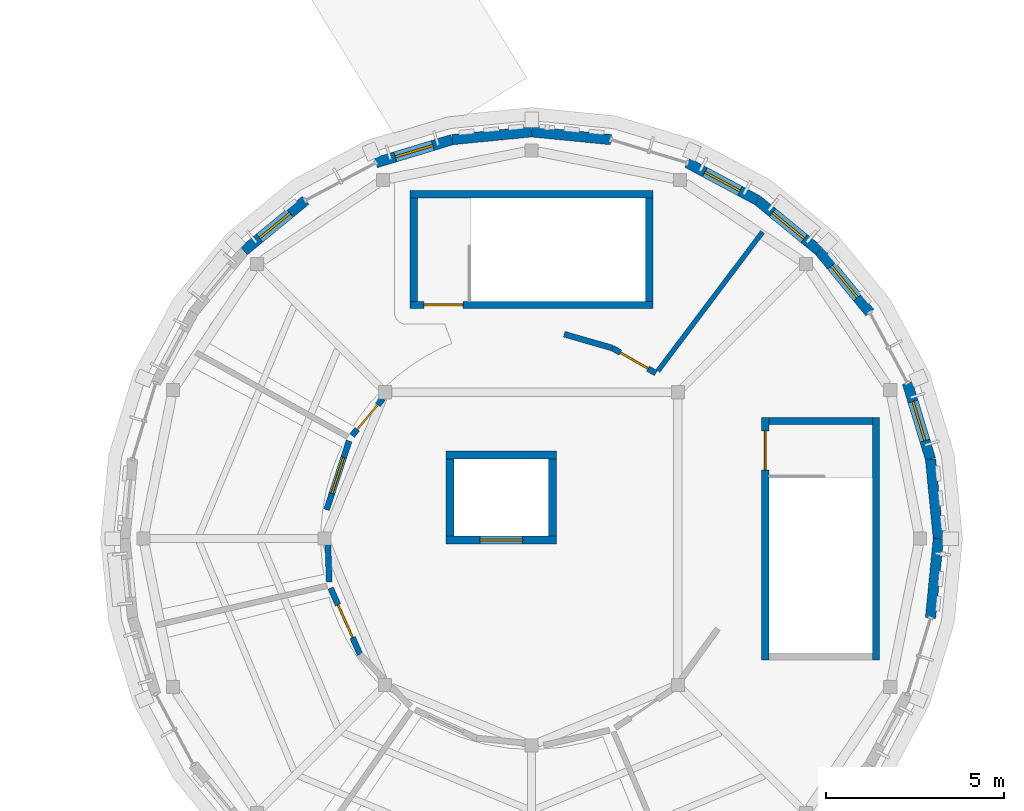
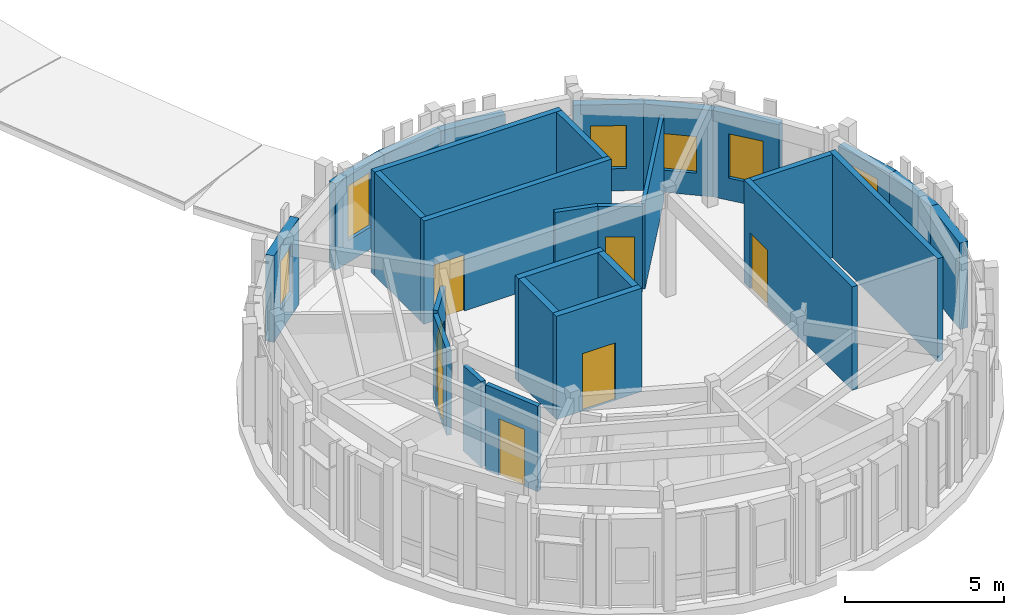
# One storey, part 40 of 58: 28 walls, 7 doors, 6 windows, 13 openings.
"""IFC4 building model written with IfcOpenShell, lengths in metres."""

from ifc_helpers import new_model, si_unit, direction, frame, frame_2d, origin, place, context, subcontext, project, spatial, rectangle, extrude, material, layer, layer_set, type_object, element, fill, save


model = new_model("IFC4")

# Units and contexts
model_context = context("Model", 3, precision=1e-05, world=origin(), true_north=direction((0.0, 1.0)))
body_context = subcontext(model_context, "Body", "Model", "MODEL_VIEW")
ifc_project = project(units=[si_unit("LENGTHUNIT", "METRE"), si_unit("AREAUNIT", "SQUARE_METRE"), si_unit("VOLUMEUNIT", "CUBIC_METRE"), si_unit("PLANEANGLEUNIT", "RADIAN"), si_unit("MASSUNIT", "GRAM", prefix="KILO")], contexts=[model_context])

# Site, building, storey
site_placement = place(None, origin())
site = spatial("IfcSite", under=ifc_project, at=site_placement, CompositionType="ELEMENT")
building_placement = place(site_placement, origin())
building = spatial("IfcBuilding", under=site, at=building_placement, Name="Aldenvaro Health Centre", CompositionType="ELEMENT")
storey_placement = place(building_placement, frame((0.0, 0.0, 8.75)))
storey = spatial("IfcBuildingStorey", under=building, at=storey_placement, Name="L02", CompositionType="ELEMENT", Elevation=8.75)

# Wall, opening, door
ifc_material_1 = material(Name="Gypsum Stud Acoustic Assembly")
ifc_layer_1 = layer(ifc_material_1, 0.1650390625, Name="Gypsum Stud Acoustic Assembly")
ifc_layer_set_1 = layer_set([ifc_layer_1], Name="Gypsum Stud Acoustic Assembly")
wall_type_1 = type_object("IfcWallType", Name="WL-COR-165", PredefinedType="PARTITIONING", material=ifc_layer_set_1)
wall_1_placement = place(storey_placement, frame((150.337890625, 22.424072265625, 0.0), z_axis=(0.0, 0.0, 1.0), x_axis=(-0.64220553528, -0.766532484931, 0.0)))
wall_1 = element("IfcWall", 1, at=wall_1_placement, inside=storey, type_object=wall_type_1, Name="D6 L02 corridor wall 01.1", PredefinedType="PARTITIONING", context=body_context, shape_type="SweptSolid", body=[
    extrude(rectangle(XDim=1.35302734375, YDim=0.1650390625, at=frame_2d((0.676513671875, 0.0))), origin(), (0.0, 0.0, 1.0), 3.279052734375),
])
opening_1_placement = place(wall_1_placement, frame((0.22607421875, 0.0, 0.0)))
opening_1 = element("IfcOpeningElement", 2, at=opening_1_placement, cuts=wall_1, Name="Opening WD-01", PredefinedType="OPENING", context=body_context, shape_type="SweptSolid", body=[
    extrude(rectangle(XDim=0.89990234375, YDim=2.10009765625, at=frame_2d((0.449951171875, 1.050048828125))), frame((0.0, 0.092529296875, 0.0), z_axis=(0.0, -1.0, 0.0), x_axis=(1.0, 0.0, 0.0)), (0.0, 0.0, 1.0), 0.18505859375),
])
ifc_material_2 = material(Name="Moisture-Resistant Laminate Door")
door_type_1 = type_object("IfcDoorType", Name="DR-WC-01", OperationType="NOTDEFINED", PredefinedType="DOOR", material=ifc_material_2)
door_1_placement = place(opening_1_placement, origin())
door_1 = element("IfcDoor", 3, at=door_1_placement, inside=storey, type_object=door_type_1, Name="Mental Health Counseling Room 01 Door", OperationType="SINGLE_SWING_RIGHT", OverallHeight=2.10009765625, OverallWidth=0.89990234375, PredefinedType="DOOR", context=body_context, shape_type="SweptSolid", body=[
    extrude(rectangle(XDim=0.89990234375, YDim=2.10009765625, at=frame_2d((0.449951171875, 1.050048828125))), frame((0.0, 0.02490234375, 0.0), z_axis=(0.0, -1.0, 0.0), x_axis=(1.0, 0.0, 0.0)), (0.0, 0.0, 1.0), 0.050048828125),
])
fill(opening_1, door_1)

wall_2_placement = place(storey_placement, frame((149.385986328125, 21.236083984375, 0.0), z_axis=(0.0, 0.0, 1.0), x_axis=(-0.310375158833, -0.950614149263, 0.0)))
wall_2 = element("IfcWall", 4, at=wall_2_placement, inside=storey, type_object=wall_type_1, Name="D6 L02 corridor wall 02.1", PredefinedType="PARTITIONING", context=body_context, shape_type="SweptSolid", body=[
    extrude(rectangle(XDim=2.029541015625, YDim=0.1650390625, at=frame_2d((1.0146484375, 0.0))), origin(), (0.0, 0.0, 1.0), 3.279052734375),
])
opening_2_placement = place(wall_2_placement, frame((0.485107421875, 0.0, 0.0)))
opening_2 = element("IfcOpeningElement", 5, at=opening_2_placement, cuts=wall_2, Name="Opening MD-02", PredefinedType="OPENING", context=body_context, shape_type="SweptSolid", body=[
    extrude(rectangle(XDim=1.06005859375, YDim=2.199951171875, at=frame_2d((0.530029296875, 1.10009765625))), frame((0.0, 0.092529296875, 0.0), z_axis=(0.0, -1.0, 0.0), x_axis=(1.0, 0.0, 0.0)), (0.0, 0.0, 1.0), 0.18505859375),
])
ifc_material_3 = material(Name="Anti-Ligature Counseling Door")
door_type_2 = type_object("IfcDoorType", Name="DR-MHL-02", OperationType="NOTDEFINED", PredefinedType="DOOR", material=ifc_material_3)
door_2_placement = place(opening_2_placement, origin())
door_2 = element("IfcDoor", 6, at=door_2_placement, inside=storey, type_object=door_type_2, Name="Mental Health Counseling Room 02 Door", OperationType="SINGLE_SWING_LEFT", OverallHeight=2.199951171875, OverallWidth=1.06005859375, PredefinedType="DOOR", context=body_context, shape_type="SweptSolid", body=[
    extrude(rectangle(XDim=1.06005859375, YDim=2.199951171875, at=frame_2d((0.530029296875, 1.10009765625))), frame((0.0, 0.02490234375, 0.0), z_axis=(0.0, -1.0, 0.0), x_axis=(1.0, 0.0, 0.0)), (0.0, 0.0, 1.0), 0.050048828125),
])
fill(opening_2, door_2)

# Wall
wall_3_placement = place(storey_placement, frame((148.7919921875, 18.3369140625, 0.0), z_axis=(0.0, 0.0, 1.0), x_axis=(0.035979458719, -0.999352529666, 0.0)))
element("IfcWall", 7, at=wall_3_placement, inside=storey, type_object=wall_type_1, Name="D6 L02 corridor wall 02.2", PredefinedType="PARTITIONING", context=body_context, shape_type="SweptSolid", body=[
    extrude(rectangle(XDim=1.05859375, YDim=0.1650390625, at=frame_2d((0.529296875, 0.0))), origin(), (0.0, 0.0, 1.0), 3.279052734375),
])

# Wall, opening, door
wall_4_placement = place(storey_placement, frame((148.868896484375, 17.112060546875, 0.0), z_axis=(0.0, 0.0, 1.0), x_axis=(0.40554678001, -0.914074290867, 0.0)))
wall_4 = element("IfcWall", 8, at=wall_4_placement, inside=storey, type_object=wall_type_1, Name="D6 L02 corridor wall 03.1", PredefinedType="PARTITIONING", context=body_context, shape_type="SweptSolid", body=[
    extrude(rectangle(XDim=2.029296875, YDim=0.1650390625, at=frame_2d((1.0146484375, 0.0))), origin(), (0.0, 0.0, 1.0), 3.279052734375),
])
opening_3_placement = place(wall_4_placement, frame((0.514892578125, 0.0, 0.0)))
opening_3 = element("IfcOpeningElement", 9, at=opening_3_placement, cuts=wall_4, Name="Opening MD-01", PredefinedType="OPENING", context=body_context, shape_type="SweptSolid", body=[
    extrude(rectangle(XDim=1.0, YDim=2.179931640625, at=frame_2d((0.5, 1.08984375))), frame((0.0, 0.092529296875, 0.0), z_axis=(0.0, -1.0, 0.0), x_axis=(1.0, 0.0, 0.0)), (0.0, 0.0, 1.0), 0.18505859375),
])
ifc_material_4 = material(Name="Anti-Ligature Behavioral Health Door")
door_type_3 = type_object("IfcDoorType", Name="DR-MHL-01", OperationType="NOTDEFINED", PredefinedType="DOOR", material=ifc_material_4)
door_3_placement = place(opening_3_placement, origin())
door_3 = element("IfcDoor", 10, at=door_3_placement, inside=storey, type_object=door_type_3, Name="Mental Health Counseling Room 03 Door", OperationType="SINGLE_SWING_RIGHT", OverallHeight=2.179931640625, OverallWidth=1.0, PredefinedType="DOOR", context=body_context, shape_type="SweptSolid", body=[
    extrude(rectangle(XDim=1.0, YDim=2.179931640625, at=frame_2d((0.5, 1.08984375))), frame((0.0, 0.02490234375, 0.0), z_axis=(0.0, -1.0, 0.0), x_axis=(1.0, 0.0, 0.0)), (0.0, 0.0, 1.0), 0.050048828125),
])
fill(opening_3, door_3)

wall_5_placement = place(storey_placement, frame((157.98388671875, 23.136962890625, 0.0), z_axis=(0.0, 0.0, 1.0), x_axis=(-0.866312781502, 0.499501916519, 0.0)))
wall_5 = element("IfcWall", 11, at=wall_5_placement, inside=storey, type_object=wall_type_1, Name="D6 L02 corridor wall 07.1", PredefinedType="PARTITIONING", context=body_context, shape_type="SweptSolid", body=[
    extrude(rectangle(XDim=1.40576171875, YDim=0.1650390625, at=frame_2d((0.702880859375, 0.0))), origin(), (0.0, 0.0, 1.0), 3.279052734375),
])
opening_4_placement = place(wall_5_placement, frame((0.2529296875, 0.0, 0.0)))
opening_4 = element("IfcOpeningElement", 12, at=opening_4_placement, cuts=wall_5, Name="Opening WD-01", PredefinedType="OPENING", context=body_context, shape_type="SweptSolid", body=[
    extrude(rectangle(XDim=0.89990234375, YDim=2.10009765625, at=frame_2d((0.449951171875, 1.050048828125))), frame((0.0, 0.092529296875, 0.0), z_axis=(0.0, -1.0, 0.0), x_axis=(1.0, 0.0, 0.0)), (0.0, 0.0, 1.0), 0.18505859375),
])
door_4_placement = place(opening_4_placement, origin())
door_4 = element("IfcDoor", 13, at=door_4_placement, inside=storey, type_object=door_type_1, Name="Male Patient WC Door", OperationType="SINGLE_SWING_LEFT", OverallHeight=2.10009765625, OverallWidth=0.89990234375, PredefinedType="DOOR", context=body_context, shape_type="SweptSolid", body=[
    extrude(rectangle(XDim=0.89990234375, YDim=2.10009765625, at=frame_2d((0.449951171875, 1.050048828125))), frame((0.0, 0.02490234375, 0.0), z_axis=(0.0, -1.0, 0.0), x_axis=(1.0, 0.0, 0.0)), (0.0, 0.0, 1.0), 0.050048828125),
])
fill(opening_4, door_4)

# Walls
wall_6_placement = place(storey_placement, frame((156.76611328125, 23.839111328125, 0.0), z_axis=(0.0, 0.0, 1.0), x_axis=(-0.961162645401, 0.27598255214, 0.0)))
element("IfcWall", 14, at=wall_6_placement, inside=storey, type_object=wall_type_1, Name="D6 L02 corridor wall 07.2", PredefinedType="PARTITIONING", context=body_context, shape_type="SweptSolid", body=[
    extrude(rectangle(XDim=1.40576171875, YDim=0.1650390625, at=frame_2d((0.702880859375, 0.0))), origin(), (0.0, 0.0, 1.0), 3.279052734375),
])
ifc_material_5 = material(Name="Cross-laminated timber CLT E1", Category="wood")
ifc_layer_2 = layer(ifc_material_5, 0.2900390625, Name="Cross-laminated timber CLT E1", Category="wood")
ifc_layer_set_2 = layer_set([ifc_layer_2], Name="Cross-laminated timber CLT E1")
wall_type_2 = type_object("IfcWallType", Name="WL-EXT-290", PredefinedType="ELEMENTEDWALL", material=ifc_layer_set_2)
wall_7_placement = place(storey_placement, frame((165.89990234375, 18.5, 0.0), z_axis=(0.0, 0.0, 1.0), x_axis=(-0.097989369151, -0.995187461503, 0.0)))
element("IfcWall", 15, at=wall_7_placement, inside=storey, type_object=wall_type_2, Name="D6 L02 exterior wall 01", PredefinedType="ELEMENTEDWALL", context=body_context, shape_type="SweptSolid", body=[
    extrude(rectangle(XDim=2.23486328125, YDim=0.2900390625, at=frame_2d((1.117431640625, 0.0))), origin(), (0.0, 0.0, 1.0), 3.31396484375),
])

# Wall, opening, window
wall_8_placement = place(storey_placement, frame((146.43896484375, 26.56103515625, 0.0), z_axis=(0.0, 0.0, 1.0), x_axis=(0.772875513354, 0.63455767339, 0.0)))
wall_8 = element("IfcWall", 16, at=wall_8_placement, inside=storey, type_object=wall_type_2, Name="D6 L02 exterior wall 21", PredefinedType="ELEMENTEDWALL", context=body_context, shape_type="SweptSolid", body=[
    extrude(rectangle(XDim=2.234619140625, YDim=0.2900390625, at=frame_2d((1.1171875, 0.0))), origin(), (0.0, 0.0, 1.0), 3.31396484375),
])
opening_5_placement = place(wall_8_placement, frame((0.56689453125, 0.0, 0.85009765625)))
opening_5 = element("IfcOpeningElement", 17, at=opening_5_placement, cuts=wall_8, Name="Opening W-27", PredefinedType="OPENING", context=body_context, shape_type="SweptSolid", body=[
    extrude(rectangle(XDim=1.10009765625, YDim=1.85009765625, at=frame_2d((0.550048828125, 0.925048828125))), frame((0.0, 0.155029296875, 0.0), z_axis=(0.0, -1.0, 0.0), x_axis=(1.0, 0.0, 0.0)), (0.0, 0.0, 1.0), 0.31005859375),
])
ifc_material_6 = material(Name="Thermally Broken Aluminium Low-E Glass", Category="aluminium")
window_type_1 = type_object("IfcWindowType", Name="WN-EXT-27", PartitioningType="SINGLE_PANEL", PredefinedType="WINDOW", material=ifc_material_6)
window_1_placement = place(opening_5_placement, origin())
window_1 = element("IfcWindow", 18, at=window_1_placement, inside=storey, type_object=window_type_1, Name="D6 L02 clinical window 21", OverallHeight=1.85009765625, OverallWidth=1.10009765625, PartitioningType="SINGLE_PANEL", PredefinedType="WINDOW", context=body_context, shape_type="SweptSolid", body=[
    extrude(rectangle(XDim=1.10009765625, YDim=1.85009765625, at=frame_2d((0.550048828125, 0.925048828125))), frame((0.0, 0.030029296875, 0.0), z_axis=(0.0, -1.0, 0.0), x_axis=(1.0, 0.0, 0.0)), (0.0, 0.0, 1.0), 0.06005859375),
])
fill(opening_5, window_1)

wall_9_placement = place(storey_placement, frame((150.136962890625, 29.031982421875, 0.0), z_axis=(0.0, 0.0, 1.0), x_axis=(0.956928814218, 0.290322655883, 0.0)))
wall_9 = element("IfcWall", 19, at=wall_9_placement, inside=storey, type_object=wall_type_2, Name="D6 L02 exterior wall 23", PredefinedType="ELEMENTEDWALL", context=body_context, shape_type="SweptSolid", body=[
    extrude(rectangle(XDim=2.235107421875, YDim=0.2900390625, at=frame_2d((1.11767578125, 0.0))), origin(), (0.0, 0.0, 1.0), 3.31396484375),
])
opening_6_placement = place(wall_9_placement, frame((0.568115234375, 0.0, 0.85009765625)))
opening_6 = element("IfcOpeningElement", 20, at=opening_6_placement, cuts=wall_9, Name="Opening W-28", PredefinedType="OPENING", context=body_context, shape_type="SweptSolid", body=[
    extrude(rectangle(XDim=1.10009765625, YDim=2.10009765625, at=frame_2d((0.550048828125, 1.050048828125))), frame((0.0, 0.155029296875, 0.0), z_axis=(0.0, -1.0, 0.0), x_axis=(1.0, 0.0, 0.0)), (0.0, 0.0, 1.0), 0.31005859375),
])
window_type_2 = type_object("IfcWindowType", Name="WN-EXT-28", PartitioningType="SINGLE_PANEL", PredefinedType="WINDOW", material=ifc_material_6)
window_2_placement = place(opening_6_placement, origin())
window_2 = element("IfcWindow", 21, at=window_2_placement, inside=storey, type_object=window_type_2, Name="D6 L02 clinical window 23", OverallHeight=2.10009765625, OverallWidth=1.10009765625, PartitioningType="SINGLE_PANEL", PredefinedType="WINDOW", context=body_context, shape_type="SweptSolid", body=[
    extrude(rectangle(XDim=1.10009765625, YDim=2.10009765625, at=frame_2d((0.550048828125, 1.050048828125))), frame((0.0, 0.030029296875, 0.0), z_axis=(0.0, -1.0, 0.0), x_axis=(1.0, 0.0, 0.0)), (0.0, 0.0, 1.0), 0.06005859375),
])
fill(opening_6, window_2)

# Walls
for number, where, z_axis, x_axis, name in (
    (22, (152.27587890625, 29.680908203125, 0.0), (0.0, 0.0, 1.0), (0.995187461503, 0.097989369151, 0.0), "D6 L02 exterior wall 24"),
    (23, (154.5, 29.89990234375, 0.0), (0.0, 0.0, 1.0), (0.995187461503, -0.097989369151, 0.0), "D6 L02 exterior wall 25"),
):
    element("IfcWall", number, at=place(storey_placement, frame(where, z_axis=z_axis, x_axis=x_axis)), inside=storey, type_object=wall_type_2, Name=name, PredefinedType="ELEMENTEDWALL", context=body_context, shape_type="SweptSolid", body=[
        extrude(rectangle(XDim=2.23486328125, YDim=0.2900390625, at=frame_2d((1.117431640625, 0.0))), origin(), (0.0, 0.0, 1.0), 3.31396484375),
    ])

# Wall, opening, window
wall_10_placement = place(storey_placement, frame((158.863037109375, 29.031982421875, 0.0), z_axis=(0.0, 0.0, 1.0), x_axis=(0.882017012185, -0.471217561446, 0.0)))
wall_10 = element("IfcWall", 24, at=wall_10_placement, inside=storey, type_object=wall_type_2, Name="D6 L02 exterior wall 27", PredefinedType="ELEMENTEDWALL", context=body_context, shape_type="SweptSolid", body=[
    extrude(rectangle(XDim=2.234619140625, YDim=0.2900390625, at=frame_2d((1.1171875, 0.0))), origin(), (0.0, 0.0, 1.0), 3.31396484375),
])
opening_7_placement = place(wall_10_placement, frame((0.556884765625, 0.0, 0.85009765625)))
opening_7 = element("IfcOpeningElement", 25, at=opening_7_placement, cuts=wall_10, Name="Opening W-29", PredefinedType="OPENING", context=body_context, shape_type="SweptSolid", body=[
    extrude(rectangle(XDim=1.1201171875, YDim=1.64990234375, at=frame_2d((0.56005859375, 0.824951171875))), frame((0.0, 0.155029296875, 0.0), z_axis=(0.0, -1.0, 0.0), x_axis=(1.0, 0.0, 0.0)), (0.0, 0.0, 1.0), 0.31005859375),
])
window_type_3 = type_object("IfcWindowType", Name="WN-EXT-29", PartitioningType="SINGLE_PANEL", PredefinedType="WINDOW", material=ifc_material_6)
window_3_placement = place(opening_7_placement, origin())
window_3 = element("IfcWindow", 26, at=window_3_placement, inside=storey, type_object=window_type_3, Name="D6 L02 clinical window 27", OverallHeight=1.64990234375, OverallWidth=1.1201171875, PartitioningType="SINGLE_PANEL", PredefinedType="WINDOW", context=body_context, shape_type="SweptSolid", body=[
    extrude(rectangle(XDim=1.1201171875, YDim=1.64990234375, at=frame_2d((0.56005859375, 0.824951171875))), frame((0.0, 0.030029296875, 0.0), z_axis=(0.0, -1.0, 0.0), x_axis=(1.0, 0.0, 0.0)), (0.0, 0.0, 1.0), 0.06005859375),
])
fill(opening_7, window_3)

wall_11_placement = place(storey_placement, frame((160.833984375, 27.97900390625, 0.0), z_axis=(0.0, 0.0, 1.0), x_axis=(0.772875513354, -0.63455767339, 0.0)))
wall_11 = element("IfcWall", 27, at=wall_11_placement, inside=storey, type_object=wall_type_2, Name="D6 L02 exterior wall 28", PredefinedType="ELEMENTEDWALL", context=body_context, shape_type="SweptSolid", body=[
    extrude(rectangle(XDim=2.234619140625, YDim=0.2900390625, at=frame_2d((1.1171875, 0.0))), origin(), (0.0, 0.0, 1.0), 3.31396484375),
])
opening_8_placement = place(wall_11_placement, frame((0.5419921875, 0.0, 0.85009765625)))
opening_8 = element("IfcOpeningElement", 28, at=opening_8_placement, cuts=wall_11, Name="Opening W-30", PredefinedType="OPENING", context=body_context, shape_type="SweptSolid", body=[
    extrude(rectangle(XDim=1.14990234375, YDim=1.39990234375, at=frame_2d((0.574951171875, 0.699951171875))), frame((0.0, 0.155029296875, 0.0), z_axis=(0.0, -1.0, 0.0), x_axis=(1.0, 0.0, 0.0)), (0.0, 0.0, 1.0), 0.31005859375),
])
window_type_4 = type_object("IfcWindowType", Name="WN-EXT-30", PartitioningType="SINGLE_PANEL", PredefinedType="WINDOW", material=ifc_material_6)
window_4_placement = place(opening_8_placement, origin())
window_4 = element("IfcWindow", 29, at=window_4_placement, inside=storey, type_object=window_type_4, Name="D6 L02 clinical window 28", OverallHeight=1.39990234375, OverallWidth=1.14990234375, PartitioningType="SINGLE_PANEL", PredefinedType="WINDOW", context=body_context, shape_type="SweptSolid", body=[
    extrude(rectangle(XDim=1.14990234375, YDim=1.39990234375, at=frame_2d((0.574951171875, 0.699951171875))), frame((0.0, 0.030029296875, 0.0), z_axis=(0.0, -1.0, 0.0), x_axis=(1.0, 0.0, 0.0)), (0.0, 0.0, 1.0), 0.06005859375),
])
fill(opening_8, window_4)

wall_12_placement = place(storey_placement, frame((162.56103515625, 26.56103515625, 0.0), z_axis=(0.0, 0.0, 1.0), x_axis=(0.63455767339, -0.772875513354, 0.0)))
wall_12 = element("IfcWall", 30, at=wall_12_placement, inside=storey, type_object=wall_type_2, Name="D6 L02 exterior wall 29", PredefinedType="ELEMENTEDWALL", context=body_context, shape_type="SweptSolid", body=[
    extrude(rectangle(XDim=2.234619140625, YDim=0.2900390625, at=frame_2d((1.1171875, 0.0))), origin(), (0.0, 0.0, 1.0), 3.31396484375),
])
opening_9_placement = place(wall_12_placement, frame((0.5419921875, 0.0, 0.85009765625)))
opening_9 = element("IfcOpeningElement", 31, at=opening_9_placement, cuts=wall_12, Name="Opening W-31", PredefinedType="OPENING", context=body_context, shape_type="SweptSolid", body=[
    extrude(rectangle(XDim=1.14990234375, YDim=1.699951171875, at=frame_2d((0.574951171875, 0.85009765625))), frame((0.0, 0.155029296875, 0.0), z_axis=(0.0, -1.0, 0.0), x_axis=(1.0, 0.0, 0.0)), (0.0, 0.0, 1.0), 0.31005859375),
])
window_type_5 = type_object("IfcWindowType", Name="WN-EXT-31", PartitioningType="SINGLE_PANEL", PredefinedType="WINDOW", material=ifc_material_6)
window_5_placement = place(opening_9_placement, origin())
window_5 = element("IfcWindow", 32, at=window_5_placement, inside=storey, type_object=window_type_5, Name="D6 L02 clinical window 29", OverallHeight=1.699951171875, OverallWidth=1.14990234375, PartitioningType="SINGLE_PANEL", PredefinedType="WINDOW", context=body_context, shape_type="SweptSolid", body=[
    extrude(rectangle(XDim=1.14990234375, YDim=1.699951171875, at=frame_2d((0.574951171875, 0.85009765625))), frame((0.0, 0.030029296875, 0.0), z_axis=(0.0, -1.0, 0.0), x_axis=(1.0, 0.0, 0.0)), (0.0, 0.0, 1.0), 0.06005859375),
])
fill(opening_9, window_5)

wall_13_placement = place(storey_placement, frame((165.031982421875, 22.863037109375, 0.0), z_axis=(0.0, 0.0, 1.0), x_axis=(0.290322655883, -0.956928814218, 0.0)))
wall_13 = element("IfcWall", 33, at=wall_13_placement, inside=storey, type_object=wall_type_2, Name="D6 L02 exterior wall 31", PredefinedType="ELEMENTEDWALL", context=body_context, shape_type="SweptSolid", body=[
    extrude(rectangle(XDim=2.235107421875, YDim=0.2900390625, at=frame_2d((1.11767578125, 0.0))), origin(), (0.0, 0.0, 1.0), 3.31396484375),
])
opening_10_placement = place(wall_13_placement, frame((0.54296875, 0.0, 0.85009765625)))
opening_10 = element("IfcOpeningElement", 34, at=opening_10_placement, cuts=wall_13, Name="Opening W-32", PredefinedType="OPENING", context=body_context, shape_type="SweptSolid", body=[
    extrude(rectangle(XDim=1.14990234375, YDim=2.0, at=frame_2d((0.574951171875, 1.0))), frame((0.0, 0.155029296875, 0.0), z_axis=(0.0, -1.0, 0.0), x_axis=(1.0, 0.0, 0.0)), (0.0, 0.0, 1.0), 0.31005859375),
])
window_type_6 = type_object("IfcWindowType", Name="WN-EXT-32", PartitioningType="SINGLE_PANEL", PredefinedType="WINDOW", material=ifc_material_6)
window_6_placement = place(opening_10_placement, origin())
window_6 = element("IfcWindow", 35, at=window_6_placement, inside=storey, type_object=window_type_6, Name="D6 L02 clinical window 31", OverallHeight=2.0, OverallWidth=1.14990234375, PartitioningType="SINGLE_PANEL", PredefinedType="WINDOW", context=body_context, shape_type="SweptSolid", body=[
    extrude(rectangle(XDim=1.14990234375, YDim=2.0, at=frame_2d((0.574951171875, 1.0))), frame((0.0, 0.030029296875, 0.0), z_axis=(0.0, -1.0, 0.0), x_axis=(1.0, 0.0, 0.0)), (0.0, 0.0, 1.0), 0.06005859375),
])
fill(opening_10, window_6)

# Wall
wall_14_placement = place(storey_placement, frame((165.680908203125, 20.72412109375, 0.0), z_axis=(0.0, 0.0, 1.0), x_axis=(0.097989369151, -0.995187461503, 0.0)))
element("IfcWall", 36, at=wall_14_placement, inside=storey, type_object=wall_type_2, Name="D6 L02 exterior wall 32", PredefinedType="ELEMENTEDWALL", context=body_context, shape_type="SweptSolid", body=[
    extrude(rectangle(XDim=2.23486328125, YDim=0.2900390625, at=frame_2d((1.117431640625, 0.0))), origin(), (0.0, 0.0, 1.0), 3.31396484375),
])

# Wall, opening, door
ifc_material_7 = material(Name="Concrete f'c 40 MPa", Category="concrete")
ifc_layer_3 = layer(ifc_material_7, 0.199951171875, Name="Concrete f'c 40 MPa", Category="concrete")
ifc_layer_set_3 = layer_set([ifc_layer_3], Name="Concrete f'c 40 MPa")
wall_type_3 = type_object("IfcWallType", Name="WL-SHAFT-200", PredefinedType="SHEAR", material=ifc_layer_set_3)
wall_15_placement = place(storey_placement, frame((161.050048828125, 21.89990234375, 0.0), z_axis=(0.0, 0.0, 1.0), x_axis=(0.0, -1.0, 0.0)))
wall_15 = element("IfcWall", 37, at=wall_15_placement, inside=storey, type_object=wall_type_3, Name="ST-11 L02 inner core wall", PredefinedType="SHEAR", context=body_context, shape_type="SweptSolid", body=[
    extrude(rectangle(XDim=6.7998046875, YDim=0.199951171875, at=frame_2d((3.39990234375, 0.0))), origin(), (0.0, 0.0, 1.0), 3.9599609375),
])
opening_11_placement = place(wall_15_placement, frame((0.3798828125, 0.0, 0.0)))
opening_11 = element("IfcOpeningElement", 38, at=opening_11_placement, cuts=wall_15, Name="Opening FD-01", PredefinedType="OPENING", context=body_context, shape_type="SweptSolid", body=[
    extrude(rectangle(XDim=1.10009765625, YDim=2.14990234375, at=frame_2d((0.550048828125, 1.074951171875))), frame((0.0, 0.10986328125, 0.0), z_axis=(0.0, -1.0, 0.0), x_axis=(1.0, 0.0, 0.0)), (0.0, 0.0, 1.0), 0.219970703125),
])
ifc_material_8 = material(Name="Fire-Rated Steel Door Assembly", Category="steel")
door_type_4 = type_object("IfcDoorType", Name="DR-STAIR-110", OperationType="NOTDEFINED", PredefinedType="DOOR", material=ifc_material_8)
door_5_placement = place(opening_11_placement, origin())
door_5 = element("IfcDoor", 39, at=door_5_placement, inside=storey, type_object=door_type_4, Name="ST-11 L02 fire stair door", OperationType="SINGLE_SWING_RIGHT", OverallHeight=2.14990234375, OverallWidth=1.10009765625, PredefinedType="DOOR", context=body_context, shape_type="SweptSolid", body=[
    extrude(rectangle(XDim=1.10009765625, YDim=2.14990234375, at=frame_2d((0.550048828125, 1.074951171875))), frame((0.0, 0.02490234375, 0.0), z_axis=(0.0, -1.0, 0.0), x_axis=(1.0, 0.0, 0.0)), (0.0, 0.0, 1.0), 0.050048828125),
])
fill(opening_11, door_5)

# Walls
wall_16_placement = place(storey_placement, frame((164.14990234375, 21.89990234375, 0.0), z_axis=(0.0, 0.0, 1.0), x_axis=(0.0, -1.0, 0.0)))
element("IfcWall", 40, at=wall_16_placement, inside=storey, type_object=wall_type_3, Name="ST-11 L02 core wall OUT", PredefinedType="SHEAR", context=body_context, shape_type="SweptSolid", body=[
    extrude(rectangle(XDim=6.7998046875, YDim=0.199951171875, at=frame_2d((3.39990234375, 0.0))), origin(), (0.0, 0.0, 1.0), 3.9599609375),
])
wall_17_placement = place(storey_placement, frame((161.14990234375, 21.800048828125, 0.0), z_axis=(0.0, 0.0, 1.0), x_axis=(1.0, 0.0, 0.0)))
element("IfcWall", 41, at=wall_17_placement, inside=storey, type_object=wall_type_3, Name="ST-11 L02 core wall L", PredefinedType="SHEAR", context=body_context, shape_type="SweptSolid", body=[
    extrude(rectangle(XDim=2.900146484375, YDim=0.199951171875, at=frame_2d((1.4501953125, 0.0))), origin(), (0.0, 0.0, 1.0), 3.9599609375),
])

# Wall, opening, door
wall_18_placement = place(storey_placement, frame((151.10009765625, 25.050048828125, 0.0), z_axis=(0.0, 0.0, 1.0), x_axis=(1.0, 0.0, 0.0)))
wall_18 = element("IfcWall", 42, at=wall_18_placement, inside=storey, type_object=wall_type_3, Name="ST-12 L02 inner core wall", PredefinedType="SHEAR", context=body_context, shape_type="SweptSolid", body=[
    extrude(rectangle(XDim=6.7998046875, YDim=0.199951171875, at=frame_2d((3.39990234375, 0.0))), origin(), (0.0, 0.0, 1.0), 3.9599609375),
])
opening_12_placement = place(wall_18_placement, frame((0.3798828125, 0.0, 0.0)))
opening_12 = element("IfcOpeningElement", 43, at=opening_12_placement, cuts=wall_18, Name="Opening FD-01", PredefinedType="OPENING", context=body_context, shape_type="SweptSolid", body=[
    extrude(rectangle(XDim=1.10009765625, YDim=2.14990234375, at=frame_2d((0.550048828125, 1.074951171875))), frame((0.0, 0.10986328125, 0.0), z_axis=(0.0, -1.0, 0.0), x_axis=(1.0, 0.0, 0.0)), (0.0, 0.0, 1.0), 0.219970703125),
])
door_6_placement = place(opening_12_placement, origin())
door_6 = element("IfcDoor", 44, at=door_6_placement, inside=storey, type_object=door_type_4, Name="ST-12 L02 fire stair door", OperationType="SINGLE_SWING_RIGHT", OverallHeight=2.14990234375, OverallWidth=1.10009765625, PredefinedType="DOOR", context=body_context, shape_type="SweptSolid", body=[
    extrude(rectangle(XDim=1.10009765625, YDim=2.14990234375, at=frame_2d((0.550048828125, 1.074951171875))), frame((0.0, 0.02490234375, 0.0), z_axis=(0.0, -1.0, 0.0), x_axis=(1.0, 0.0, 0.0)), (0.0, 0.0, 1.0), 0.050048828125),
])
fill(opening_12, door_6)

# Walls
wall_19_placement = place(storey_placement, frame((151.10009765625, 28.14990234375, 0.0), z_axis=(0.0, 0.0, 1.0), x_axis=(1.0, 0.0, 0.0)))
element("IfcWall", 45, at=wall_19_placement, inside=storey, type_object=wall_type_3, Name="ST-12 L02 core wall OUT", PredefinedType="SHEAR", context=body_context, shape_type="SweptSolid", body=[
    extrude(rectangle(XDim=6.7998046875, YDim=0.199951171875, at=frame_2d((3.39990234375, 0.0))), origin(), (0.0, 0.0, 1.0), 3.9599609375),
])
for number, where, z_axis, x_axis, name in (
    (46, (151.199951171875, 25.14990234375, 0.0), (0.0, 0.0, 1.0), (0.0, 1.0, 0.0), "ST-12 L02 core wall L"),
    (47, (157.800048828125, 25.14990234375, 0.0), (0.0, 0.0, 1.0), (0.0, 1.0, 0.0), "ST-12 L02 core wall R"),
):
    element("IfcWall", number, at=place(storey_placement, frame(where, z_axis=z_axis, x_axis=x_axis)), inside=storey, type_object=wall_type_3, Name=name, PredefinedType="SHEAR", context=body_context, shape_type="SweptSolid", body=[
        extrude(rectangle(XDim=2.900146484375, YDim=0.199951171875, at=frame_2d((1.4501953125, 0.0))), origin(), (0.0, 0.0, 1.0), 3.9599609375),
    ])

# Wall, opening, door
ifc_layer_4 = layer(ifc_material_7, 0.22509765625, Name="Concrete f'c 40 MPa", Category="concrete")
ifc_layer_set_4 = layer_set([ifc_layer_4], Name="Concrete f'c 40 MPa")
wall_type_4 = type_object("IfcWallType", Name="WL-SHAFT-225", PredefinedType="SHEAR", material=ifc_layer_set_4)
wall_20_placement = place(storey_placement, frame((152.10009765625, 18.4619140625, 0.0), z_axis=(0.0, 0.0, 1.0), x_axis=(1.0, 0.0, 0.0)))
wall_20 = element("IfcWall", 48, at=wall_20_placement, inside=storey, type_object=wall_type_4, Name="LF-06 L02 lift shaft front wall", PredefinedType="SHEAR", context=body_context, shape_type="SweptSolid", body=[
    extrude(rectangle(XDim=3.099853515625, YDim=0.22509765625, at=frame_2d((1.5498046875, 0.0))), origin(), (0.0, 0.0, 1.0), 3.9599609375),
])
opening_13_placement = place(wall_20_placement, frame((0.949951171875, 0.0, 0.0)))
opening_13 = element("IfcOpeningElement", 49, at=opening_13_placement, cuts=wall_20, Name="Opening LD-01", PredefinedType="OPENING", context=body_context, shape_type="SweptSolid", body=[
    extrude(rectangle(XDim=1.199951171875, YDim=2.199951171875, at=frame_2d((0.60009765625, 1.10009765625))), frame((0.0, 0.12255859375, 0.0), z_axis=(0.0, -1.0, 0.0), x_axis=(1.0, 0.0, 0.0)), (0.0, 0.0, 1.0), 0.2451171875),
])
ifc_material_9 = material(Name="Stainless Steel Lift Landing Door", Category="steel")
door_type_5 = type_object("IfcDoorType", Name="DR-LIFT-120", OperationType="DOUBLE_DOOR_SLIDING", PredefinedType="DOOR", material=ifc_material_9)
door_7_placement = place(opening_13_placement, origin())
door_7 = element("IfcDoor", 50, at=door_7_placement, inside=storey, type_object=door_type_5, Name="Lift LF-06 L02 Sliding Landing Door", OperationType="DOUBLE_DOOR_SLIDING", OverallHeight=2.199951171875, OverallWidth=1.199951171875, PredefinedType="DOOR", context=body_context, shape_type="SweptSolid", body=[
    extrude(rectangle(XDim=1.199951171875, YDim=2.199951171875, at=frame_2d((0.60009765625, 1.10009765625))), frame((0.0, 0.02490234375, 0.0), z_axis=(0.0, -1.0, 0.0), x_axis=(1.0, 0.0, 0.0)), (0.0, 0.0, 1.0), 0.050048828125),
])
fill(opening_13, door_7)

# Walls
wall_21_placement = place(storey_placement, frame((152.10009765625, 20.8369140625, 0.0), z_axis=(0.0, 0.0, 1.0), x_axis=(1.0, 0.0, 0.0)))
element("IfcWall", 51, at=wall_21_placement, inside=storey, type_object=wall_type_4, Name="LF-06 L02 lift shaft rear wall", PredefinedType="SHEAR", context=body_context, shape_type="SweptSolid", body=[
    extrude(rectangle(XDim=3.099853515625, YDim=0.22509765625, at=frame_2d((1.5498046875, 0.0))), origin(), (0.0, 0.0, 1.0), 3.9599609375),
])
for number, where, z_axis, x_axis, name in (
    (52, (152.212890625, 18.574951171875, 0.0), (0.0, 0.0, 1.0), (0.0, 1.0, 0.0), "LF-06 L02 lift shaft side wall L"),
    (53, (155.087890625, 18.574951171875, 0.0), (0.0, 0.0, 1.0), (0.0, 1.0, 0.0), "LF-06 L02 lift shaft side wall R"),
):
    element("IfcWall", number, at=place(storey_placement, frame(where, z_axis=z_axis, x_axis=x_axis)), inside=storey, type_object=wall_type_4, Name=name, PredefinedType="SHEAR", context=body_context, shape_type="SweptSolid", body=[
        extrude(rectangle(XDim=2.150146484375, YDim=0.22509765625, at=frame_2d((1.0751953125, 0.0))), origin(), (0.0, 0.0, 1.0), 3.9599609375),
    ])
ifc_material_10 = material(Name="Moisture-Resistant Plumbing Stud Wall")
ifc_layer_5 = layer(ifc_material_10, 0.135009765625, Name="Moisture-Resistant Plumbing Stud Wall")
ifc_layer_set_5 = layer_set([ifc_layer_5], Name="Moisture-Resistant Plumbing Stud Wall")
wall_type_5 = type_object("IfcWallType", Name="WL-WET-135", PredefinedType="PLUMBINGWALL", material=ifc_layer_set_5)
wall_22_placement = place(storey_placement, frame((158.0400390625, 23.197998046875, 0.0), z_axis=(0.0, 0.0, 1.0), x_axis=(0.601809953338, 0.798639330401, 0.0)))
element("IfcWall", 54, at=wall_22_placement, inside=storey, type_object=wall_type_5, Name="D6 L02 clinical partition 7.1", PredefinedType="PLUMBINGWALL", context=body_context, shape_type="SweptSolid", body=[
    extrude(rectangle(XDim=4.873291015625, YDim=0.135009765625, at=frame_2d((2.4365234375, 0.0))), origin(), (0.0, 0.0, 1.0), 3.279052734375),
])

save(model, "model.ifc")
